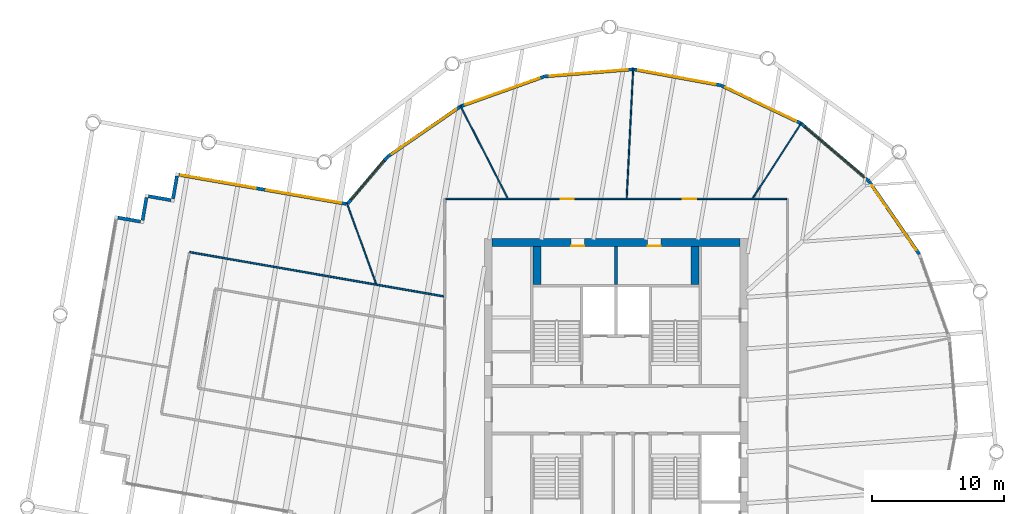
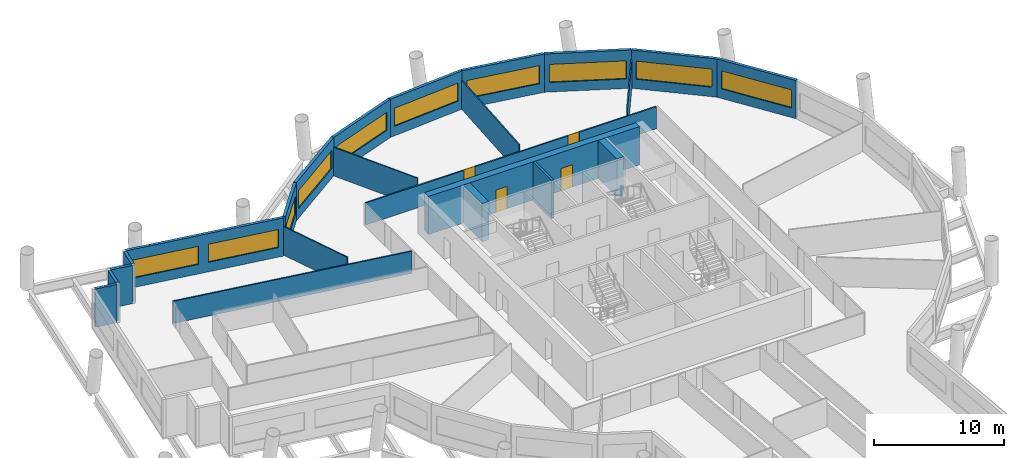
# One storey, part 6 of 11: 23 walls, 10 windows, 4 doors, 14 openings.
"""IFC4 building model written with IfcOpenShell, lengths in metres."""

from ifc_helpers import new_model, si_unit, direction, frame, frame_2d, origin, place, context, subcontext, project, spatial, rectangle, extrude, material, layer, layer_set, type_object, element, fill, save


model = new_model("IFC4")

# Units and contexts
model_context = context("Model", 3, precision=1e-05, world=origin(), true_north=direction((0.0, 1.0)))
body_context = subcontext(model_context, "Body", "Model", "MODEL_VIEW")
ifc_project = project(units=[si_unit("LENGTHUNIT", "METRE"), si_unit("AREAUNIT", "SQUARE_METRE"), si_unit("VOLUMEUNIT", "CUBIC_METRE"), si_unit("PLANEANGLEUNIT", "RADIAN"), si_unit("MASSUNIT", "GRAM", prefix="KILO")], contexts=[model_context])

# Site, building, storey
site_placement = place(None, origin())
site = spatial("IfcSite", under=ifc_project, at=site_placement, CompositionType="ELEMENT")
building_placement = place(site_placement, origin())
building = spatial("IfcBuilding", under=site, at=building_placement, Name="Tarsis Ring Headquarters", CompositionType="ELEMENT")
storey_placement = place(building_placement, frame((0.0, 0.0, 243.300048828125)))
storey = spatial("IfcBuildingStorey", under=building, at=storey_placement, Name="L57", CompositionType="ELEMENT", Elevation=243.300048828125)

# Wall
ifc_material_1 = material(Name="Blockwork", Category="masonry")
ifc_layer_1 = layer(ifc_material_1, 0.199951171875)
ifc_layer_set_1 = layer_set([ifc_layer_1], Name="Core blockwork wall 200")
wall_type_1 = type_object("IfcWallType", Name="Core blockwork wall 200", PredefinedType="PARTITIONING", material=ifc_layer_set_1)
wall_1_placement = place(storey_placement, frame((0.0, 9.5, 0.0), z_axis=(0.0, 0.0, 1.0), x_axis=(0.0, 1.0, 0.0)))
element("IfcWall", 1, at=wall_1_placement, inside=storey, type_object=wall_type_1, Name="Core partition ND2", PredefinedType="PARTITIONING", context=body_context, shape_type="SweptSolid", body=[
    extrude(rectangle(XDim=2.89990234375, YDim=0.199951171875, at=frame_2d((1.449951171875, 0.0))), origin(), (0.0, 0.0, 1.0), 3.599853515625),
])

# Wall, openings, doors
ifc_material_2 = material(Name="Concrete C50/60", Category="concrete")
ifc_layer_2 = layer(ifc_material_2, 0.60009765625)
ifc_layer_set_2 = layer_set([ifc_layer_2], Name="Core wall 600 C50/60")
wall_type_2 = type_object("IfcWallType", Name="Core wall 600 C50/60", PredefinedType="SHEAR", material=ifc_layer_set_2)
wall_2_placement = place(storey_placement, frame((-9.39990234375, 12.699951171875, 0.0), z_axis=(0.0, 0.0, 1.0), x_axis=(1.0, 0.0, 0.0)))
wall_2 = element("IfcWall", 2, at=wall_2_placement, inside=storey, type_object=wall_type_2, Name="Core wall ON", PredefinedType="SHEAR", context=body_context, shape_type="SweptSolid", body=[
    extrude(rectangle(XDim=18.7998046875, YDim=0.60009765625, at=frame_2d((9.39990234375, 0.0))), origin(), (0.0, 0.0, 1.0), 3.599853515625),
])
opening_1_placement = place(wall_2_placement, frame((6.0, 0.0, 0.0)))
opening_1 = element("IfcOpeningElement", 3, at=opening_1_placement, cuts=wall_2, Name="Opening L57-C11", PredefinedType="OPENING", context=body_context, shape_type="SweptSolid", body=[
    extrude(rectangle(XDim=1.0, YDim=2.10009765625, at=frame_2d((0.5, 1.050048828125))), frame((0.0, 0.31005859375, 0.0), z_axis=(0.0, -1.0, 0.0), x_axis=(1.0, 0.0, 0.0)), (0.0, 0.0, 1.0), 0.6201171875),
])
opening_2_placement = place(wall_2_placement, frame((11.800048828125, 0.0, 0.0)))
opening_2 = element("IfcOpeningElement", 4, at=opening_2_placement, cuts=wall_2, Name="Opening L57-C12", PredefinedType="OPENING", context=body_context, shape_type="SweptSolid", body=[
    extrude(rectangle(XDim=1.0, YDim=2.10009765625, at=frame_2d((0.5, 1.050048828125))), frame((0.0, 0.31005859375, 0.0), z_axis=(0.0, -1.0, 0.0), x_axis=(1.0, 0.0, 0.0)), (0.0, 0.0, 1.0), 0.6201171875),
])
ifc_material_3 = material(Name="Steel S355", Category="steel")
door_type_1 = type_object("IfcDoorType", Name="Core room door 1000x2100", OperationType="SINGLE_SWING_LEFT", PredefinedType="DOOR", material=ifc_material_3)
door_1_placement = place(opening_1_placement, origin())
door_1 = element("IfcDoor", 5, at=door_1_placement, inside=storey, type_object=door_type_1, Name="Core room door L57", OperationType="SINGLE_SWING_LEFT", OverallHeight=2.10009765625, OverallWidth=1.0, PredefinedType="DOOR", context=body_context, shape_type="SweptSolid", body=[
    extrude(rectangle(XDim=1.0, YDim=2.10009765625, at=frame_2d((0.5, 1.050048828125))), frame((0.0, -0.25, 0.0), z_axis=(0.0, -1.0, 0.0), x_axis=(1.0, 0.0, 0.0)), (0.0, 0.0, 1.0), 0.050048828125),
])
fill(opening_1, door_1)
door_2_placement = place(opening_2_placement, origin())
door_2 = element("IfcDoor", 6, at=door_2_placement, inside=storey, type_object=door_type_1, Name="Core room door L57", OperationType="SINGLE_SWING_LEFT", OverallHeight=2.10009765625, OverallWidth=1.0, PredefinedType="DOOR", context=body_context, shape_type="SweptSolid", body=[
    extrude(rectangle(XDim=1.0, YDim=2.10009765625, at=frame_2d((0.5, 1.050048828125))), frame((0.0, -0.25, 0.0), z_axis=(0.0, -1.0, 0.0), x_axis=(1.0, 0.0, 0.0)), (0.0, 0.0, 1.0), 0.050048828125),
])
fill(opening_2, door_2)

# Walls
ifc_material_4 = material(Name="Gypsum board on steel studs", Category="steel")
ifc_layer_3 = layer(ifc_material_4, 0.10009765625)
ifc_layer_set_3 = layer_set([ifc_layer_3], Name="FL partition 100 unrated")
wall_type_3 = type_object("IfcWallType", Name="FL partition 100 unrated", PredefinedType="PARTITIONING", material=ifc_layer_set_3)
wall_3_placement = place(storey_placement, frame((0.808349609375, 16.06982421875, 0.0), z_axis=(0.0, 0.0, 1.0), x_axis=(0.05025136551, 0.998736602045, 0.0)))
element("IfcWall", 7, at=wall_3_placement, inside=storey, type_object=wall_type_3, Name="Partition PW3", PredefinedType="PARTITIONING", context=body_context, shape_type="SweptSolid", body=[
    extrude(rectangle(XDim=9.857666015625, YDim=0.10009765625, at=frame_2d((4.9287109375, 0.0))), origin(), (0.0, 0.0, 1.0), 2.699951171875),
])
wall_4_placement = place(storey_placement, frame((-11.82861328125, 23.094970703125, 0.0), z_axis=(0.0, 0.0, 1.0), x_axis=(0.455878263826, -0.890042138649, 0.0)))
element("IfcWall", 8, at=wall_4_placement, inside=storey, type_object=wall_type_3, Name="Partition PW3", PredefinedType="PARTITIONING", context=body_context, shape_type="SweptSolid", body=[
    extrude(rectangle(XDim=7.881591796875, YDim=0.10009765625, at=frame_2d((3.94091796875, 0.0))), origin(), (0.0, 0.0, 1.0), 2.699951171875),
])
wall_5_placement = place(storey_placement, frame((10.397216796875, 16.083984375, 0.0), z_axis=(0.0, 0.0, 1.0), x_axis=(0.542889267612, 0.839804288577, 0.0)))
element("IfcWall", 9, at=wall_5_placement, inside=storey, type_object=wall_type_3, Name="Partition PW3", PredefinedType="PARTITIONING", context=body_context, shape_type="SweptSolid", body=[
    extrude(rectangle(XDim=6.7958984375, YDim=0.10009765625, at=frame_2d((3.39794921875, 0.0))), origin(), (0.0, 0.0, 1.0), 2.699951171875),
])
wall_6_placement = place(storey_placement, frame((-20.41845703125, 15.66064453125, 0.0), z_axis=(0.0, 0.0, 1.0), x_axis=(0.339875419771, -0.94047046686, 0.0)))
element("IfcWall", 10, at=wall_6_placement, inside=storey, type_object=wall_type_3, Name="Partition PW3", PredefinedType="PARTITIONING", context=body_context, shape_type="SweptSolid", body=[
    extrude(rectangle(XDim=6.4677734375, YDim=0.10009765625, at=frame_2d((3.23388671875, 0.0))), origin(), (0.0, 0.0, 1.0), 2.699951171875),
])

# Wall, openings, doors
ifc_layer_4 = layer(ifc_material_4, 0.125)
ifc_layer_set_4 = layer_set([ifc_layer_4], Name="FL partition 125 EI 60 H2080")
wall_type_4 = type_object("IfcWallType", Name="FL partition 125 EI 60 H2080", PredefinedType="PARTITIONING", material=ifc_layer_set_4)
wall_7_placement = place(storey_placement, frame((-12.93994140625, 16.0, 0.0), z_axis=(0.0, 0.0, 1.0), x_axis=(1.0, 0.0, 0.0)))
wall_7 = element("IfcWall", 11, at=wall_7_placement, inside=storey, type_object=wall_type_4, Name="Partition PW1H208", PredefinedType="PARTITIONING", context=body_context, shape_type="SweptSolid", body=[
    extrude(rectangle(XDim=25.8798828125, YDim=0.125, at=frame_2d((12.93994140625, 0.0))), origin(), (0.0, 0.0, 1.0), 2.079833984375),
])
opening_3_placement = place(wall_7_placement, frame((8.7451171875, 0.0, 0.0)))
opening_3 = element("IfcOpeningElement", 12, at=opening_3_placement, cuts=wall_7, Name="Opening D57.04", PredefinedType="OPENING", context=body_context, shape_type="SweptSolid", body=[
    extrude(rectangle(XDim=1.0, YDim=2.10009765625, at=frame_2d((0.5, 1.050048828125))), frame((0.0, 0.072509765625, 0.0), z_axis=(0.0, -1.0, 0.0), x_axis=(1.0, 0.0, 0.0)), (0.0, 0.0, 1.0), 0.14501953125),
])
opening_4_placement = place(wall_7_placement, frame((18.013916015625, 0.0, 0.0)))
opening_4 = element("IfcOpeningElement", 13, at=opening_4_placement, cuts=wall_7, Name="Opening D57.05", PredefinedType="OPENING", context=body_context, shape_type="SweptSolid", body=[
    extrude(rectangle(XDim=1.0, YDim=2.10009765625, at=frame_2d((0.5, 1.050048828125))), frame((0.0, 0.072509765625, 0.0), z_axis=(0.0, -1.0, 0.0), x_axis=(1.0, 0.0, 0.0)), (0.0, 0.0, 1.0), 0.14501953125),
])
ifc_material_5 = material(Name="Fire-rated timber door leaf in steel frame", Category="steel")
door_type_2 = type_object("IfcDoorType", Name="FL door FD60-1000", OperationType="NOTDEFINED", PredefinedType="DOOR", material=ifc_material_5)
door_3_placement = place(opening_3_placement, origin())
door_3 = element("IfcDoor", 14, at=door_3_placement, inside=storey, type_object=door_type_2, Name="Door D57.04", OperationType="SINGLE_SWING_LEFT", OverallHeight=2.10009765625, OverallWidth=1.0, PredefinedType="DOOR", context=body_context, shape_type="SweptSolid", body=[
    extrude(rectangle(XDim=1.0, YDim=2.10009765625, at=frame_2d((0.5, 1.050048828125))), frame((0.0, 0.02490234375, 0.0), z_axis=(0.0, -1.0, 0.0), x_axis=(1.0, 0.0, 0.0)), (0.0, 0.0, 1.0), 0.050048828125),
])
fill(opening_3, door_3)
door_4_placement = place(opening_4_placement, origin())
door_4 = element("IfcDoor", 15, at=door_4_placement, inside=storey, type_object=door_type_2, Name="Door D57.05", OperationType="SINGLE_SWING_RIGHT", OverallHeight=2.10009765625, OverallWidth=1.0, PredefinedType="DOOR", context=body_context, shape_type="SweptSolid", body=[
    extrude(rectangle(XDim=1.0, YDim=2.10009765625, at=frame_2d((0.5, 1.050048828125))), frame((0.0, 0.02490234375, 0.0), z_axis=(0.0, -1.0, 0.0), x_axis=(1.0, 0.0, 0.0)), (0.0, 0.0, 1.0), 0.050048828125),
])
fill(opening_4, door_4)

# Wall
wall_8_placement = place(storey_placement, frame((-32.37744140625, 11.962890625, 0.0), z_axis=(0.0, 0.0, 1.0), x_axis=(0.985170218513, -0.171579837265, 0.0)))
element("IfcWall", 16, at=wall_8_placement, inside=storey, type_object=wall_type_4, Name="Partition PW1H208", PredefinedType="PARTITIONING", context=body_context, shape_type="SweptSolid", body=[
    extrude(rectangle(XDim=19.598876953125, YDim=0.125, at=frame_2d((9.79931640625, 0.0))), origin(), (0.0, 0.0, 1.0), 2.079833984375),
])

# Wall, opening, window
ifc_material_6 = material(Name="Terracotta clad insulated panel wall", Category="masonry")
ifc_layer_5 = layer(ifc_material_6, 0.25)
ifc_layer_set_5 = layer_set([ifc_layer_5], Name="Facade wall terracotta panel 250")
wall_type_5 = type_object("IfcWallType", Name="Facade wall terracotta panel 250", PredefinedType="STANDARD", material=ifc_layer_set_5)
wall_9_placement = place(storey_placement, frame((23.019775390625, 11.808349609375, 0.0), z_axis=(0.0, 0.0, 1.0), x_axis=(-0.568113998988, 0.82294986734, 0.0)))
wall_9 = element("IfcWall", 17, at=wall_9_placement, inside=storey, type_object=wall_type_5, Name="External wall L57-23", PredefinedType="STANDARD", context=body_context, shape_type="SweptSolid", body=[
    extrude(rectangle(XDim=6.721435546875, YDim=0.25, at=frame_2d((3.36083984375, 0.0))), origin(), (0.0, 0.0, 1.0), 3.599853515625),
])
opening_5_placement = place(wall_9_placement, frame((0.3857421875, 0.0, 0.89990234375)))
opening_5 = element("IfcOpeningElement", 18, at=opening_5_placement, cuts=wall_9, Name="Opening WN07", PredefinedType="OPENING", context=body_context, shape_type="SweptSolid", body=[
    extrude(rectangle(XDim=5.949951171875, YDim=1.699951171875, at=frame_2d((2.97509765625, 0.85009765625))), frame((0.0, 0.135009765625, 0.0), z_axis=(0.0, -1.0, 0.0), x_axis=(1.0, 0.0, 0.0)), (0.0, 0.0, 1.0), 0.27001953125),
])
ifc_material_7 = material(Name="Aluminium framed double glazing", Category="aluminium")
window_type_1 = type_object("IfcWindowType", Name="Facade window 5950 x 1700", PartitioningType="SINGLE_PANEL", PredefinedType="WINDOW", material=ifc_material_7)
window_1_placement = place(opening_5_placement, origin())
window_1 = element("IfcWindow", 19, at=window_1_placement, inside=storey, type_object=window_type_1, Name="Window L57-23.1", OverallHeight=1.699951171875, OverallWidth=5.949951171875, PartitioningType="SINGLE_PANEL", PredefinedType="WINDOW", context=body_context, shape_type="SweptSolid", body=[
    extrude(rectangle(XDim=5.949951171875, YDim=1.699951171875, at=frame_2d((2.97509765625, 0.85009765625))), frame((0.0, 0.030029296875, 0.0), z_axis=(0.0, -1.0, 0.0), x_axis=(1.0, 0.0, 0.0)), (0.0, 0.0, 1.0), 0.06005859375),
])
fill(opening_5, window_1)

wall_10_placement = place(storey_placement, frame((19.17919921875, 17.364013671875, 0.0), z_axis=(0.0, 0.0, 1.0), x_axis=(-0.761763632453, 0.647855051899, 0.0)))
wall_10 = element("IfcWall", 20, at=wall_10_placement, inside=storey, type_object=wall_type_5, Name="External wall L57-24", PredefinedType="STANDARD", context=body_context, shape_type="SweptSolid", body=[
    extrude(rectangle(XDim=6.721435546875, YDim=0.25, at=frame_2d((3.36083984375, 0.0))), origin(), (0.0, 0.0, 1.0), 3.599853515625),
])
opening_6_placement = place(wall_10_placement, frame((0.3857421875, 0.0, 0.89990234375)))
opening_6 = element("IfcOpeningElement", 21, at=opening_6_placement, cuts=wall_10, Name="Opening WN07", PredefinedType="OPENING", context=body_context, shape_type="SweptSolid", body=[
    extrude(rectangle(XDim=5.949951171875, YDim=1.699951171875, at=frame_2d((2.97509765625, 0.85009765625))), frame((0.0, 0.135009765625, 0.0), z_axis=(0.0, -1.0, 0.0), x_axis=(1.0, 0.0, 0.0)), (0.0, 0.0, 1.0), 0.27001953125),
])
window_2_placement = place(opening_6_placement, origin())
window_2 = element("IfcWindow", 22, at=window_2_placement, inside=storey, type_object=window_type_1, Name="Window L57-24.1", OverallHeight=1.699951171875, OverallWidth=5.949951171875, PartitioningType="SINGLE_PANEL", PredefinedType="WINDOW", context=body_context, shape_type="SweptSolid", body=[
    extrude(rectangle(XDim=5.949951171875, YDim=1.699951171875, at=frame_2d((2.97509765625, 0.85009765625))), frame((0.0, 0.030029296875, 0.0), z_axis=(0.0, -1.0, 0.0), x_axis=(1.0, 0.0, 0.0)), (0.0, 0.0, 1.0), 0.06005859375),
])
fill(opening_6, window_2)

wall_11_placement = place(storey_placement, frame((14.031494140625, 21.736328125, 0.0), z_axis=(0.0, 0.0, 1.0), x_axis=(-0.903490661245, 0.428607775295, 0.0)))
wall_11 = element("IfcWall", 23, at=wall_11_placement, inside=storey, type_object=wall_type_5, Name="External wall L57-25", PredefinedType="STANDARD", context=body_context, shape_type="SweptSolid", body=[
    extrude(rectangle(XDim=6.721435546875, YDim=0.25, at=frame_2d((3.36083984375, 0.0))), origin(), (0.0, 0.0, 1.0), 3.599853515625),
])
opening_7_placement = place(wall_11_placement, frame((0.3857421875, 0.0, 0.89990234375)))
opening_7 = element("IfcOpeningElement", 24, at=opening_7_placement, cuts=wall_11, Name="Opening WN07", PredefinedType="OPENING", context=body_context, shape_type="SweptSolid", body=[
    extrude(rectangle(XDim=5.949951171875, YDim=1.699951171875, at=frame_2d((2.97509765625, 0.85009765625))), frame((0.0, 0.135009765625, 0.0), z_axis=(0.0, -1.0, 0.0), x_axis=(1.0, 0.0, 0.0)), (0.0, 0.0, 1.0), 0.27001953125),
])
window_3_placement = place(opening_7_placement, origin())
window_3 = element("IfcWindow", 25, at=window_3_placement, inside=storey, type_object=window_type_1, Name="Window L57-25.1", OverallHeight=1.699951171875, OverallWidth=5.949951171875, PartitioningType="SINGLE_PANEL", PredefinedType="WINDOW", context=body_context, shape_type="SweptSolid", body=[
    extrude(rectangle(XDim=5.949951171875, YDim=1.699951171875, at=frame_2d((2.97509765625, 0.85009765625))), frame((0.0, 0.030029296875, 0.0), z_axis=(0.0, -1.0, 0.0), x_axis=(1.0, 0.0, 0.0)), (0.0, 0.0, 1.0), 0.06005859375),
])
fill(opening_7, window_3)

wall_12_placement = place(storey_placement, frame((7.927734375, 24.627197265625, 0.0), z_axis=(0.0, 0.0, 1.0), x_axis=(-0.983631351555, 0.180192575424, 0.0)))
wall_12 = element("IfcWall", 26, at=wall_12_placement, inside=storey, type_object=wall_type_5, Name="External wall L57-26", PredefinedType="STANDARD", context=body_context, shape_type="SweptSolid", body=[
    extrude(rectangle(XDim=6.7216796875, YDim=0.25, at=frame_2d((3.36083984375, 0.0))), origin(), (0.0, 0.0, 1.0), 3.599853515625),
])
opening_8_placement = place(wall_12_placement, frame((0.3857421875, 0.0, 0.89990234375)))
opening_8 = element("IfcOpeningElement", 27, at=opening_8_placement, cuts=wall_12, Name="Opening WN07", PredefinedType="OPENING", context=body_context, shape_type="SweptSolid", body=[
    extrude(rectangle(XDim=5.949951171875, YDim=1.699951171875, at=frame_2d((2.97509765625, 0.85009765625))), frame((0.0, 0.135009765625, 0.0), z_axis=(0.0, -1.0, 0.0), x_axis=(1.0, 0.0, 0.0)), (0.0, 0.0, 1.0), 0.27001953125),
])
window_4_placement = place(opening_8_placement, origin())
window_4 = element("IfcWindow", 28, at=window_4_placement, inside=storey, type_object=window_type_1, Name="Window L57-26.1", OverallHeight=1.699951171875, OverallWidth=5.949951171875, PartitioningType="SINGLE_PANEL", PredefinedType="WINDOW", context=body_context, shape_type="SweptSolid", body=[
    extrude(rectangle(XDim=5.949951171875, YDim=1.699951171875, at=frame_2d((2.97509765625, 0.85009765625))), frame((0.0, 0.030029296875, 0.0), z_axis=(0.0, -1.0, 0.0), x_axis=(1.0, 0.0, 0.0)), (0.0, 0.0, 1.0), 0.06005859375),
])
fill(opening_8, window_4)

wall_13_placement = place(storey_placement, frame((1.28369140625, 25.83984375, 0.0), z_axis=(0.0, 0.0, 1.0), x_axis=(-0.99675249154, -0.08052621069, 0.0)))
wall_13 = element("IfcWall", 29, at=wall_13_placement, inside=storey, type_object=wall_type_5, Name="External wall L57-27", PredefinedType="STANDARD", context=body_context, shape_type="SweptSolid", body=[
    extrude(rectangle(XDim=6.721435546875, YDim=0.25, at=frame_2d((3.36083984375, 0.0))), origin(), (0.0, 0.0, 1.0), 3.599853515625),
])
opening_9_placement = place(wall_13_placement, frame((0.3857421875, 0.0, 0.89990234375)))
opening_9 = element("IfcOpeningElement", 30, at=opening_9_placement, cuts=wall_13, Name="Opening WN07", PredefinedType="OPENING", context=body_context, shape_type="SweptSolid", body=[
    extrude(rectangle(XDim=5.949951171875, YDim=1.699951171875, at=frame_2d((2.97509765625, 0.85009765625))), frame((0.0, 0.135009765625, 0.0), z_axis=(0.0, -1.0, 0.0), x_axis=(1.0, 0.0, 0.0)), (0.0, 0.0, 1.0), 0.27001953125),
])
window_5_placement = place(opening_9_placement, origin())
window_5 = element("IfcWindow", 31, at=window_5_placement, inside=storey, type_object=window_type_1, Name="Window L57-27.1", OverallHeight=1.699951171875, OverallWidth=5.949951171875, PartitioningType="SINGLE_PANEL", PredefinedType="WINDOW", context=body_context, shape_type="SweptSolid", body=[
    extrude(rectangle(XDim=5.949951171875, YDim=1.699951171875, at=frame_2d((2.97509765625, 0.85009765625))), frame((0.0, 0.030029296875, 0.0), z_axis=(0.0, -1.0, 0.0), x_axis=(1.0, 0.0, 0.0)), (0.0, 0.0, 1.0), 0.06005859375),
])
fill(opening_9, window_5)

wall_14_placement = place(storey_placement, frame((-5.447998046875, 25.291748046875, 0.0), z_axis=(0.0, 0.0, 1.0), x_axis=(-0.94193487034, -0.335795622423, 0.0)))
wall_14 = element("IfcWall", 32, at=wall_14_placement, inside=storey, type_object=wall_type_5, Name="External wall L57-28", PredefinedType="STANDARD", context=body_context, shape_type="SweptSolid", body=[
    extrude(rectangle(XDim=6.7216796875, YDim=0.25, at=frame_2d((3.36083984375, 0.0))), origin(), (0.0, 0.0, 1.0), 3.599853515625),
])
opening_10_placement = place(wall_14_placement, frame((0.3857421875, 0.0, 0.89990234375)))
opening_10 = element("IfcOpeningElement", 33, at=opening_10_placement, cuts=wall_14, Name="Opening WN07", PredefinedType="OPENING", context=body_context, shape_type="SweptSolid", body=[
    extrude(rectangle(XDim=5.949951171875, YDim=1.699951171875, at=frame_2d((2.97509765625, 0.85009765625))), frame((0.0, 0.135009765625, 0.0), z_axis=(0.0, -1.0, 0.0), x_axis=(1.0, 0.0, 0.0)), (0.0, 0.0, 1.0), 0.27001953125),
])
window_6_placement = place(opening_10_placement, origin())
window_6 = element("IfcWindow", 34, at=window_6_placement, inside=storey, type_object=window_type_1, Name="Window L57-28.1", OverallHeight=1.699951171875, OverallWidth=5.949951171875, PartitioningType="SINGLE_PANEL", PredefinedType="WINDOW", context=body_context, shape_type="SweptSolid", body=[
    extrude(rectangle(XDim=5.949951171875, YDim=1.699951171875, at=frame_2d((2.97509765625, 0.85009765625))), frame((0.0, 0.030029296875, 0.0), z_axis=(0.0, -1.0, 0.0), x_axis=(1.0, 0.0, 0.0)), (0.0, 0.0, 1.0), 0.06005859375),
])
fill(opening_10, window_6)

wall_15_placement = place(storey_placement, frame((-11.808349609375, 23.019775390625, 0.0), z_axis=(0.0, 0.0, 1.0), x_axis=(-0.82294986734, -0.568113998988, 0.0)))
wall_15 = element("IfcWall", 35, at=wall_15_placement, inside=storey, type_object=wall_type_5, Name="External wall L57-29", PredefinedType="STANDARD", context=body_context, shape_type="SweptSolid", body=[
    extrude(rectangle(XDim=6.721435546875, YDim=0.25, at=frame_2d((3.36083984375, 0.0))), origin(), (0.0, 0.0, 1.0), 3.599853515625),
])
opening_11_placement = place(wall_15_placement, frame((0.3857421875, 0.0, 0.89990234375)))
opening_11 = element("IfcOpeningElement", 36, at=opening_11_placement, cuts=wall_15, Name="Opening WN07", PredefinedType="OPENING", context=body_context, shape_type="SweptSolid", body=[
    extrude(rectangle(XDim=5.949951171875, YDim=1.699951171875, at=frame_2d((2.97509765625, 0.85009765625))), frame((0.0, 0.135009765625, 0.0), z_axis=(0.0, -1.0, 0.0), x_axis=(1.0, 0.0, 0.0)), (0.0, 0.0, 1.0), 0.27001953125),
])
window_7_placement = place(opening_11_placement, origin())
window_7 = element("IfcWindow", 37, at=window_7_placement, inside=storey, type_object=window_type_1, Name="Window L57-29.1", OverallHeight=1.699951171875, OverallWidth=5.949951171875, PartitioningType="SINGLE_PANEL", PredefinedType="WINDOW", context=body_context, shape_type="SweptSolid", body=[
    extrude(rectangle(XDim=5.949951171875, YDim=1.699951171875, at=frame_2d((2.97509765625, 0.85009765625))), frame((0.0, 0.030029296875, 0.0), z_axis=(0.0, -1.0, 0.0), x_axis=(1.0, 0.0, 0.0)), (0.0, 0.0, 1.0), 0.06005859375),
])
fill(opening_11, window_7)

wall_16_placement = place(storey_placement, frame((-17.364013671875, 19.17919921875, 0.0), z_axis=(0.0, 0.0, 1.0), x_axis=(-0.647869388058, -0.761751439787, 0.0)))
wall_16 = element("IfcWall", 38, at=wall_16_placement, inside=storey, type_object=wall_type_5, Name="External wall L57-30", PredefinedType="STANDARD", context=body_context, shape_type="SweptSolid", body=[
    extrude(rectangle(XDim=4.61767578125, YDim=0.25, at=frame_2d((2.308837890625, 0.0))), origin(), (0.0, 0.0, 1.0), 3.599853515625),
])
opening_12_placement = place(wall_16_placement, frame((0.367431640625, 0.0, 0.89990234375)))
opening_12 = element("IfcOpeningElement", 39, at=opening_12_placement, cuts=wall_16, Name="Opening WN02", PredefinedType="OPENING", context=body_context, shape_type="SweptSolid", body=[
    extrude(rectangle(XDim=3.85009765625, YDim=1.699951171875, at=frame_2d((1.925048828125, 0.85009765625))), frame((0.0, 0.135009765625, 0.0), z_axis=(0.0, -1.0, 0.0), x_axis=(1.0, 0.0, 0.0)), (0.0, 0.0, 1.0), 0.27001953125),
])
window_type_2 = type_object("IfcWindowType", Name="Facade window 3850 x 1700", PartitioningType="SINGLE_PANEL", PredefinedType="WINDOW", material=ifc_material_7)
window_8_placement = place(opening_12_placement, origin())
window_8 = element("IfcWindow", 40, at=window_8_placement, inside=storey, type_object=window_type_2, Name="Window L57-30.1", OverallHeight=1.699951171875, OverallWidth=3.85009765625, PartitioningType="SINGLE_PANEL", PredefinedType="WINDOW", context=body_context, shape_type="SweptSolid", body=[
    extrude(rectangle(XDim=3.85009765625, YDim=1.699951171875, at=frame_2d((1.925048828125, 0.85009765625))), frame((0.0, 0.030029296875, 0.0), z_axis=(0.0, -1.0, 0.0), x_axis=(1.0, 0.0, 0.0)), (0.0, 0.0, 1.0), 0.06005859375),
])
fill(opening_12, window_8)

# Wall, openings, windows
wall_17_placement = place(storey_placement, frame((-20.47216796875, 15.619384765625, 0.0), z_axis=(0.0, 0.0, 1.0), x_axis=(-0.985169919653, 0.171581553237, 0.0)))
wall_17 = element("IfcWall", 41, at=wall_17_placement, inside=storey, type_object=wall_type_5, Name="External wall L57-31", PredefinedType="STANDARD", context=body_context, shape_type="SweptSolid", body=[
    extrude(rectangle(XDim=12.9013671875, YDim=0.25, at=frame_2d((6.45068359375, 0.0))), origin(), (0.0, 0.0, 1.0), 3.599853515625),
])
opening_13_placement = place(wall_17_placement, frame((0.412841796875, 0.0, 0.89990234375)))
opening_13 = element("IfcOpeningElement", 42, at=opening_13_placement, cuts=wall_17, Name="Opening WN06", PredefinedType="OPENING", context=body_context, shape_type="SweptSolid", body=[
    extrude(rectangle(XDim=5.75, YDim=1.699951171875, at=frame_2d((2.875, 0.85009765625))), frame((0.0, 0.135009765625, 0.0), z_axis=(0.0, -1.0, 0.0), x_axis=(1.0, 0.0, 0.0)), (0.0, 0.0, 1.0), 0.27001953125),
])
opening_14_placement = place(wall_17_placement, frame((6.988525390625, 0.0, 0.89990234375)))
opening_14 = element("IfcOpeningElement", 43, at=opening_14_placement, cuts=wall_17, Name="Opening WN06", PredefinedType="OPENING", context=body_context, shape_type="SweptSolid", body=[
    extrude(rectangle(XDim=5.75, YDim=1.699951171875, at=frame_2d((2.875, 0.85009765625))), frame((0.0, 0.135009765625, 0.0), z_axis=(0.0, -1.0, 0.0), x_axis=(1.0, 0.0, 0.0)), (0.0, 0.0, 1.0), 0.27001953125),
])
window_type_3 = type_object("IfcWindowType", Name="Facade window 5750 x 1700", PartitioningType="SINGLE_PANEL", PredefinedType="WINDOW", material=ifc_material_7)
window_9_placement = place(opening_13_placement, origin())
window_9 = element("IfcWindow", 44, at=window_9_placement, inside=storey, type_object=window_type_3, Name="Window L57-31.1", OverallHeight=1.699951171875, OverallWidth=5.75, PartitioningType="SINGLE_PANEL", PredefinedType="WINDOW", context=body_context, shape_type="SweptSolid", body=[
    extrude(rectangle(XDim=5.75, YDim=1.699951171875, at=frame_2d((2.875, 0.85009765625))), frame((0.0, 0.030029296875, 0.0), z_axis=(0.0, -1.0, 0.0), x_axis=(1.0, 0.0, 0.0)), (0.0, 0.0, 1.0), 0.06005859375),
])
fill(opening_13, window_9)
window_10_placement = place(opening_14_placement, origin())
window_10 = element("IfcWindow", 45, at=window_10_placement, inside=storey, type_object=window_type_3, Name="Window L57-31.2", OverallHeight=1.699951171875, OverallWidth=5.75, PartitioningType="SINGLE_PANEL", PredefinedType="WINDOW", context=body_context, shape_type="SweptSolid", body=[
    extrude(rectangle(XDim=5.75, YDim=1.699951171875, at=frame_2d((2.875, 0.85009765625))), frame((0.0, 0.030029296875, 0.0), z_axis=(0.0, -1.0, 0.0), x_axis=(1.0, 0.0, 0.0)), (0.0, 0.0, 1.0), 0.06005859375),
])
fill(opening_14, window_10)

# Walls
for number, where, z_axis, x_axis, name in (
    (46, (-33.326904296875, 17.7314453125, 0.0), (0.0, 0.0, 1.0), (-0.171588434855, -0.985168721095, 0.0), "External wall L57-32"),
    (47, (-33.771728515625, 15.905517578125, 0.0), (0.0, 0.0, 1.0), (-0.985168721095, 0.171588434855, 0.0), "External wall L57-33"),
    (48, (-35.640380859375, 16.104248046875, 0.0), (0.0, 0.0, 1.0), (-0.171588434855, -0.985168721095, 0.0), "External wall L57-34"),
    (49, (-36.085205078125, 14.278564453125, 0.0), (0.0, 0.0, 1.0), (-0.985192294403, 0.171453034526, 0.0), "External wall L57-35"),
):
    element("IfcWall", number, at=place(storey_placement, frame(where, z_axis=z_axis, x_axis=x_axis)), inside=storey, type_object=wall_type_5, Name=name, PredefinedType="STANDARD", context=body_context, shape_type="SweptSolid", body=[
        extrude(rectangle(XDim=1.75, YDim=0.25, at=frame_2d((0.875, 0.0))), origin(), (0.0, 0.0, 1.0), 3.599853515625),
    ])
ifc_material_8 = material(Name="Concrete C32/40", Category="concrete")
ifc_layer_6 = layer(ifc_material_8, 0.60009765625)
ifc_layer_set_6 = layer_set([ifc_layer_6], Name="Shaft end wall 600 C32/40")
wall_type_6 = type_object("IfcWallType", Name="Shaft end wall 600 C32/40", PredefinedType="SOLIDWALL", material=ifc_layer_set_6)
for number, where, z_axis, x_axis, name in (
    (50, (-6.0, 9.5, 0.0), (0.0, 0.0, 1.0), (0.0, 1.0, 0.0), "Core shaft wall NNE1"),
    (51, (6.0, 9.5, 0.0), (0.0, 0.0, 1.0), (0.0, 1.0, 0.0), "Core shaft wall NNE2"),
):
    element("IfcWall", number, at=place(storey_placement, frame(where, z_axis=z_axis, x_axis=x_axis)), inside=storey, type_object=wall_type_6, Name=name, PredefinedType="SOLIDWALL", context=body_context, shape_type="SweptSolid", body=[
        extrude(rectangle(XDim=2.89990234375, YDim=0.60009765625, at=frame_2d((1.449951171875, 0.0))), origin(), (0.0, 0.0, 1.0), 3.599853515625),
    ])

save(model, "model.ifc")
